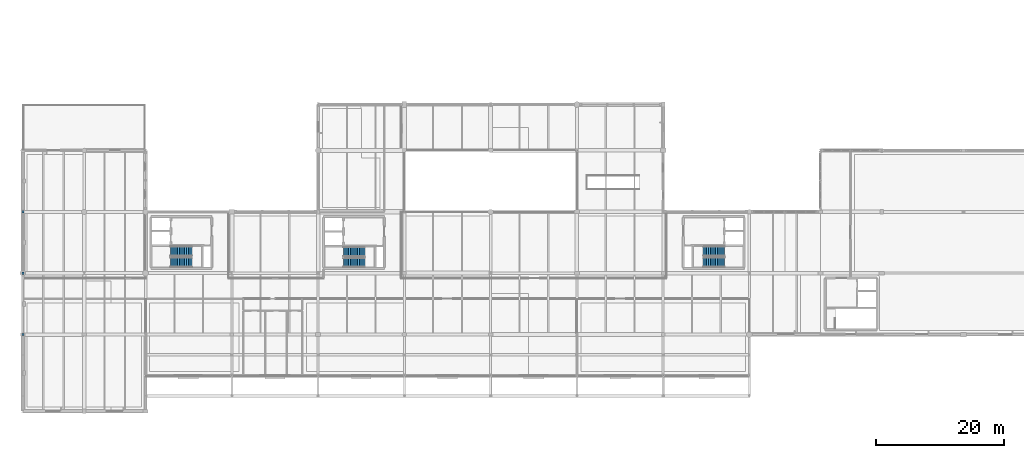
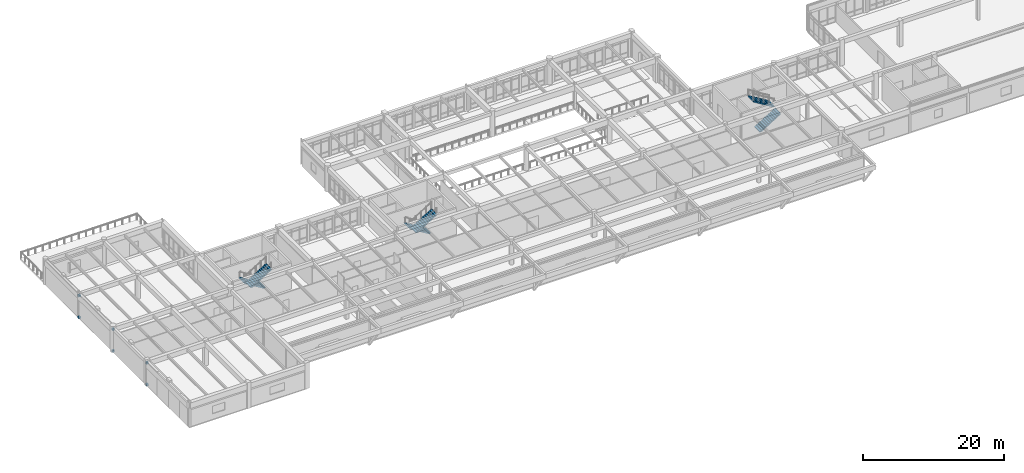
# One storey, part 70 of 80: 6 discrete accessories, 6 stair flights, 3 elements without a shape of their own.
"""IFC4 building model written with IfcOpenShell, lengths in metres."""

from ifc_helpers import new_model, si_unit, direction, frame, origin, origin_2d, place, context, subcontext, project, spatial, polyline, rectangle, outline, extrude, material, type_object, element, aggregate, save


model = new_model("IFC4")

# Units and contexts
model_context = context("Model", 3, precision=1e-05, world=origin(), true_north=direction((0.0, 1.0)))
body_context = subcontext(model_context, "Body", "Model", "MODEL_VIEW")
ifc_project = project(units=[si_unit("LENGTHUNIT", "METRE"), si_unit("AREAUNIT", "SQUARE_METRE"), si_unit("VOLUMEUNIT", "CUBIC_METRE"), si_unit("PLANEANGLEUNIT", "RADIAN"), si_unit("MASSUNIT", "GRAM", prefix="KILO")], contexts=[model_context])

# Site, building, storey
site_placement = place(None, origin())
site = spatial("IfcSite", under=ifc_project, at=site_placement, CompositionType="ELEMENT")
building_placement = place(site_placement, origin())
building = spatial("IfcBuilding", under=site, at=building_placement, Name="Fikremerkos Civic Library", CompositionType="ELEMENT")
storey_placement = place(building_placement, frame((0.0, 0.0, 9.89990234375)))
storey = spatial("IfcBuildingStorey", under=building, at=storey_placement, Name="L02", CompositionType="ELEMENT", Elevation=9.89990234375)

# Stair, stair flights
ifc_material_1 = material(Name="Concrete C40/50", Category="concrete")
stair_type_1 = type_object("IfcStairType", Name="Half turn stair ST-HT-03 W1550 H4500", PredefinedType="HALF_TURN_STAIR", material=ifc_material_1)
stair_1_placement = place(storey_placement, origin())
stair_1 = element("IfcStair", 1, at=stair_1_placement, inside=storey, type_object=stair_type_1, Name="L02 ST-K1", PredefinedType="HALF_TURN_STAIR")
stair_flight_type_1 = type_object("IfcStairFlightType", Name="Straight stair flight SFL-03 W1550 H2250", PredefinedType="STRAIGHT", material=ifc_material_1)
stair_flight_1_placement = place(storey_placement, frame((26.449951171875, 25.02490234375, 0.0), z_axis=(0.0, 0.0, 1.0), x_axis=(-1.0, 0.0, 0.0)))
stair_flight_1 = element("IfcStairFlight", 2, at=stair_flight_1_placement, type_object=stair_flight_type_1, Name="ST-K1 flight 1", NumberOfRisers=13, NumberOfTreads=12, PredefinedType="STRAIGHT", RiserHeight=0.173076923, TreadLength=0.28, context=body_context, shape_type="SweptSolid", body=[
    extrude(outline(polyline([(-0.0048828125, 0.0), (-0.0048828125, 0.173095703125), (0.280029296875, 0.173095703125), (0.280029296875, 0.34619140625), (0.56005859375, 0.34619140625), (0.56005859375, 0.519287109375), (0.840087890625, 0.519287109375), (0.840087890625, 0.6923828125), (1.1201171875, 0.6923828125), (1.1201171875, 0.865478515625), (1.39990234375, 0.865478515625), (1.39990234375, 1.03857421875), (1.679931640625, 1.03857421875), (1.679931640625, 1.21142578125), (1.9599609375, 1.21142578125), (1.9599609375, 1.384521484375), (2.239990234375, 1.384521484375), (2.239990234375, 1.5576171875), (2.52001953125, 1.5576171875), (2.52001953125, 1.730712890625), (2.800048828125, 1.730712890625), (2.800048828125, 1.90380859375), (3.080078125, 1.90380859375), (3.080078125, 2.076904296875), (3.360107421875, 2.076904296875), (3.360107421875, 2.25), (3.364990234375, 2.25), (3.364990234375, 1.900634765625), (0.28515625, 0.0), (-0.0048828125, 0.0)])), frame((0.0, 0.77490234375, 0.0), z_axis=(0.0, -1.0, 0.0), x_axis=(1.0, 0.0, 0.0)), (0.0, 0.0, 1.0), 1.550048828125),
])
stair_flight_2_placement = place(storey_placement, frame((23.090087890625, 23.27490234375, 2.25), z_axis=(0.0, 0.0, 1.0), x_axis=(1.0, 0.0, 0.0)))
stair_flight_2 = element("IfcStairFlight", 3, at=stair_flight_2_placement, type_object=stair_flight_type_1, Name="ST-K1 flight 2", NumberOfRisers=13, NumberOfTreads=12, PredefinedType="STRAIGHT", RiserHeight=0.173076923, TreadLength=0.28, context=body_context, shape_type="SweptSolid", body=[
    extrude(outline(polyline([(-0.0048828125, 0.0), (-0.0048828125, 0.173095703125), (0.280029296875, 0.173095703125), (0.280029296875, 0.34619140625), (0.56005859375, 0.34619140625), (0.56005859375, 0.519287109375), (0.840087890625, 0.519287109375), (0.840087890625, 0.6923828125), (1.1201171875, 0.6923828125), (1.1201171875, 0.865478515625), (1.39990234375, 0.865478515625), (1.39990234375, 1.03857421875), (1.679931640625, 1.03857421875), (1.679931640625, 1.21142578125), (1.9599609375, 1.21142578125), (1.9599609375, 1.384521484375), (2.239990234375, 1.384521484375), (2.239990234375, 1.5576171875), (2.52001953125, 1.5576171875), (2.52001953125, 1.730712890625), (2.800048828125, 1.730712890625), (2.800048828125, 1.90380859375), (3.080078125, 1.90380859375), (3.080078125, 2.076904296875), (3.360107421875, 2.076904296875), (3.360107421875, 2.25), (3.364990234375, 2.25), (3.364990234375, 1.900634765625), (0.28515625, 0.0), (-0.0048828125, 0.0)])), frame((0.0, 0.77490234375, 0.0), z_axis=(0.0, -1.0, 0.0), x_axis=(1.0, 0.0, 0.0)), (0.0, 0.0, 1.0), 1.550048828125),
])
aggregate(stair_1, [stair_flight_1, stair_flight_2])

stair_2_placement = place(storey_placement, origin())
stair_2 = element("IfcStair", 4, at=stair_2_placement, inside=storey, type_object=stair_type_1, Name="L02 ST-K2", PredefinedType="HALF_TURN_STAIR")
stair_flight_3_placement = place(storey_placement, frame((106.449951171875, 23.27490234375, 0.0), z_axis=(0.0, 0.0, 1.0), x_axis=(1.0, 0.0, 0.0)))
stair_flight_3 = element("IfcStairFlight", 5, at=stair_flight_3_placement, type_object=stair_flight_type_1, Name="ST-K2 flight 1", NumberOfRisers=13, NumberOfTreads=12, PredefinedType="STRAIGHT", RiserHeight=0.173076923, TreadLength=0.28, context=body_context, shape_type="SweptSolid", body=[
    extrude(outline(polyline([(-0.0048828125, 0.0), (-0.0048828125, 0.173095703125), (0.280029296875, 0.173095703125), (0.280029296875, 0.34619140625), (0.56005859375, 0.34619140625), (0.56005859375, 0.519287109375), (0.840087890625, 0.519287109375), (0.840087890625, 0.6923828125), (1.1201171875, 0.6923828125), (1.1201171875, 0.865478515625), (1.39990234375, 0.865478515625), (1.39990234375, 1.03857421875), (1.679931640625, 1.03857421875), (1.679931640625, 1.21142578125), (1.9599609375, 1.21142578125), (1.9599609375, 1.384521484375), (2.239990234375, 1.384521484375), (2.239990234375, 1.5576171875), (2.52001953125, 1.5576171875), (2.52001953125, 1.730712890625), (2.800048828125, 1.730712890625), (2.800048828125, 1.90380859375), (3.080078125, 1.90380859375), (3.080078125, 2.076904296875), (3.360107421875, 2.076904296875), (3.360107421875, 2.25), (3.364990234375, 2.25), (3.364990234375, 1.900634765625), (0.28515625, 0.0), (-0.0048828125, 0.0)])), frame((0.0, 0.77490234375, 0.0), z_axis=(0.0, -1.0, 0.0), x_axis=(1.0, 0.0, 0.0)), (0.0, 0.0, 1.0), 1.550048828125),
])
stair_flight_4_placement = place(storey_placement, frame((109.81005859375, 25.02490234375, 2.25), z_axis=(0.0, 0.0, 1.0), x_axis=(-1.0, 0.0, 0.0)))
stair_flight_4 = element("IfcStairFlight", 6, at=stair_flight_4_placement, type_object=stair_flight_type_1, Name="ST-K2 flight 2", NumberOfRisers=13, NumberOfTreads=12, PredefinedType="STRAIGHT", RiserHeight=0.173076923, TreadLength=0.28, context=body_context, shape_type="SweptSolid", body=[
    extrude(outline(polyline([(-0.0048828125, 0.0), (-0.0048828125, 0.173095703125), (0.280029296875, 0.173095703125), (0.280029296875, 0.34619140625), (0.56005859375, 0.34619140625), (0.56005859375, 0.519287109375), (0.840087890625, 0.519287109375), (0.840087890625, 0.6923828125), (1.1201171875, 0.6923828125), (1.1201171875, 0.865478515625), (1.39990234375, 0.865478515625), (1.39990234375, 1.03857421875), (1.679931640625, 1.03857421875), (1.679931640625, 1.21142578125), (1.9599609375, 1.21142578125), (1.9599609375, 1.384521484375), (2.239990234375, 1.384521484375), (2.239990234375, 1.5576171875), (2.52001953125, 1.5576171875), (2.52001953125, 1.730712890625), (2.800048828125, 1.730712890625), (2.800048828125, 1.90380859375), (3.080078125, 1.90380859375), (3.080078125, 2.076904296875), (3.360107421875, 2.076904296875), (3.360107421875, 2.25), (3.364990234375, 2.25), (3.364990234375, 1.900634765625), (0.28515625, 0.0), (-0.0048828125, 0.0)])), frame((0.0, 0.77490234375, 0.0), z_axis=(0.0, -1.0, 0.0), x_axis=(1.0, 0.0, 0.0)), (0.0, 0.0, 1.0), 1.550048828125),
])
aggregate(stair_2, [stair_flight_3, stair_flight_4])

stair_type_2 = type_object("IfcStairType", Name="Half turn stair ST-HT-06 W1500 H4500", PredefinedType="HALF_TURN_STAIR", material=ifc_material_1)
stair_3_placement = place(storey_placement, origin())
stair_3 = element("IfcStair", 7, at=stair_3_placement, inside=storey, type_object=stair_type_2, Name="L02 ST-K3", PredefinedType="HALF_TURN_STAIR")
stair_flight_type_2 = type_object("IfcStairFlightType", Name="Straight stair flight SFL-06 W1500 H2250", PredefinedType="STRAIGHT", material=ifc_material_1)
stair_flight_5_placement = place(storey_placement, frame((53.5, 24.949951171875, 0.0), z_axis=(0.0, 0.0, 1.0), x_axis=(-1.0, 0.0, 0.0)))
stair_flight_5 = element("IfcStairFlight", 8, at=stair_flight_5_placement, type_object=stair_flight_type_2, Name="ST-K3 flight 1", NumberOfRisers=13, NumberOfTreads=12, PredefinedType="STRAIGHT", RiserHeight=0.173076923, TreadLength=0.28, context=body_context, shape_type="SweptSolid", body=[
    extrude(outline(polyline([(-0.0048828125, 0.0), (-0.0048828125, 0.173095703125), (0.280029296875, 0.173095703125), (0.280029296875, 0.34619140625), (0.56005859375, 0.34619140625), (0.56005859375, 0.519287109375), (0.840087890625, 0.519287109375), (0.840087890625, 0.6923828125), (1.1201171875, 0.6923828125), (1.1201171875, 0.865478515625), (1.39990234375, 0.865478515625), (1.39990234375, 1.03857421875), (1.679931640625, 1.03857421875), (1.679931640625, 1.21142578125), (1.9599609375, 1.21142578125), (1.9599609375, 1.384521484375), (2.239990234375, 1.384521484375), (2.239990234375, 1.5576171875), (2.52001953125, 1.5576171875), (2.52001953125, 1.730712890625), (2.800048828125, 1.730712890625), (2.800048828125, 1.90380859375), (3.080078125, 1.90380859375), (3.080078125, 2.076904296875), (3.360107421875, 2.076904296875), (3.360107421875, 2.25), (3.364990234375, 2.25), (3.364990234375, 1.900634765625), (0.28515625, 0.0), (-0.0048828125, 0.0)])), frame((0.0, 0.75, 0.0), z_axis=(0.0, -1.0, 0.0), x_axis=(1.0, 0.0, 0.0)), (0.0, 0.0, 1.0), 1.5),
])
stair_flight_6_placement = place(storey_placement, frame((50.139892578125, 23.25, 2.25), z_axis=(0.0, 0.0, 1.0), x_axis=(1.0, 0.0, 0.0)))
stair_flight_6 = element("IfcStairFlight", 9, at=stair_flight_6_placement, type_object=stair_flight_type_2, Name="ST-K3 flight 2", NumberOfRisers=13, NumberOfTreads=12, PredefinedType="STRAIGHT", RiserHeight=0.173076923, TreadLength=0.28, context=body_context, shape_type="SweptSolid", body=[
    extrude(outline(polyline([(-0.0048828125, 0.0), (-0.0048828125, 0.173095703125), (0.280029296875, 0.173095703125), (0.280029296875, 0.34619140625), (0.56005859375, 0.34619140625), (0.56005859375, 0.519287109375), (0.840087890625, 0.519287109375), (0.840087890625, 0.6923828125), (1.1201171875, 0.6923828125), (1.1201171875, 0.865478515625), (1.39990234375, 0.865478515625), (1.39990234375, 1.03857421875), (1.679931640625, 1.03857421875), (1.679931640625, 1.21142578125), (1.9599609375, 1.21142578125), (1.9599609375, 1.384521484375), (2.239990234375, 1.384521484375), (2.239990234375, 1.5576171875), (2.52001953125, 1.5576171875), (2.52001953125, 1.730712890625), (2.800048828125, 1.730712890625), (2.800048828125, 1.90380859375), (3.080078125, 1.90380859375), (3.080078125, 2.076904296875), (3.360107421875, 2.076904296875), (3.360107421875, 2.25), (3.364990234375, 2.25), (3.364990234375, 1.900634765625), (0.28515625, 0.0), (-0.0048828125, 0.0)])), frame((0.0, 0.75, 0.0), z_axis=(0.0, -1.0, 0.0), x_axis=(1.0, 0.0, 0.0)), (0.0, 0.0, 1.0), 1.5),
])
aggregate(stair_3, [stair_flight_5, stair_flight_6])

# Discrete accessories
ifc_material_2 = material(Name="Steel S355", Category="steel")
discrete_accessory_type = type_object("IfcDiscreteAccessoryType", Name="Steel brace end connection bracket BRK-S1", PredefinedType="BRACKET", material=ifc_material_2)
for number, where, z_axis, x_axis, name in (
    (10, (0.0, 12.0, -0.169921875), (0.0, 0.0, 1.0), (1.0, 0.0, 0.0), "Steel S355 brace end connection bracket #41"),
    (11, (0.0, 21.60009765625, 3.60009765625), (0.0, 0.0, 1.0), (1.0, 0.0, 0.0), "Steel S355 brace end connection bracket #42"),
    (12, (0.0, 21.60009765625, -0.169921875), (0.0, 0.0, 1.0), (1.0, 0.0, 0.0), "Steel S355 brace end connection bracket #43"),
    (13, (0.0, 12.0, 3.60009765625), (0.0, 0.0, 1.0), (1.0, 0.0, 0.0), "Steel S355 brace end connection bracket #44"),
    (14, (0.0, 31.199951171875, 3.60009765625), (0.0, 0.0, 1.0), (1.0, 0.0, 0.0), "Steel S355 brace end connection bracket #45"),
    (15, (0.0, 31.199951171875, -0.169921875), (0.0, 0.0, 1.0), (1.0, 0.0, 0.0), "Steel S355 brace end connection bracket #46"),
):
    element("IfcDiscreteAccessory", number, at=place(storey_placement, frame(where, z_axis=z_axis, x_axis=x_axis)), inside=storey, type_object=discrete_accessory_type, Name=name, PredefinedType="BRACKET", context=body_context, shape_type="SweptSolid", body=[
        extrude(rectangle(XDim=0.340087890625, YDim=0.340087890625, at=origin_2d()), origin(), (0.0, 0.0, 1.0), 0.340087890625),
    ])

save(model, "model.ifc")
